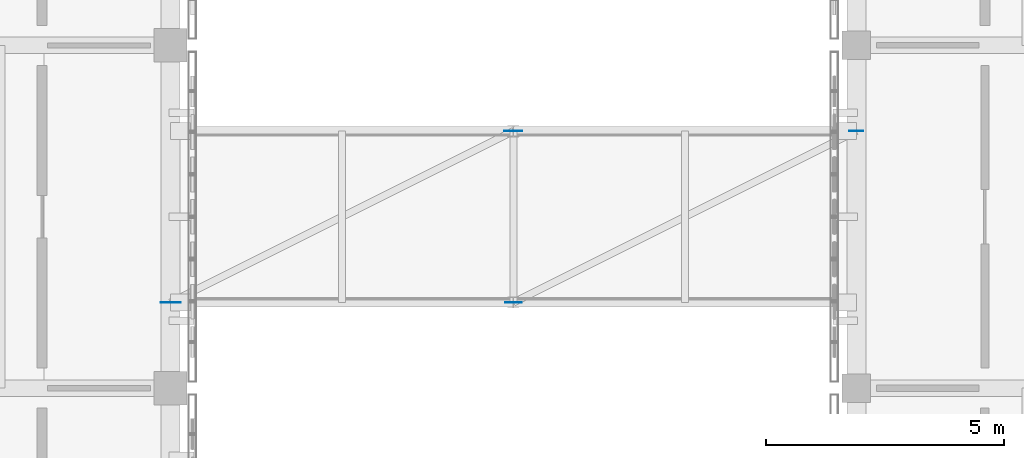
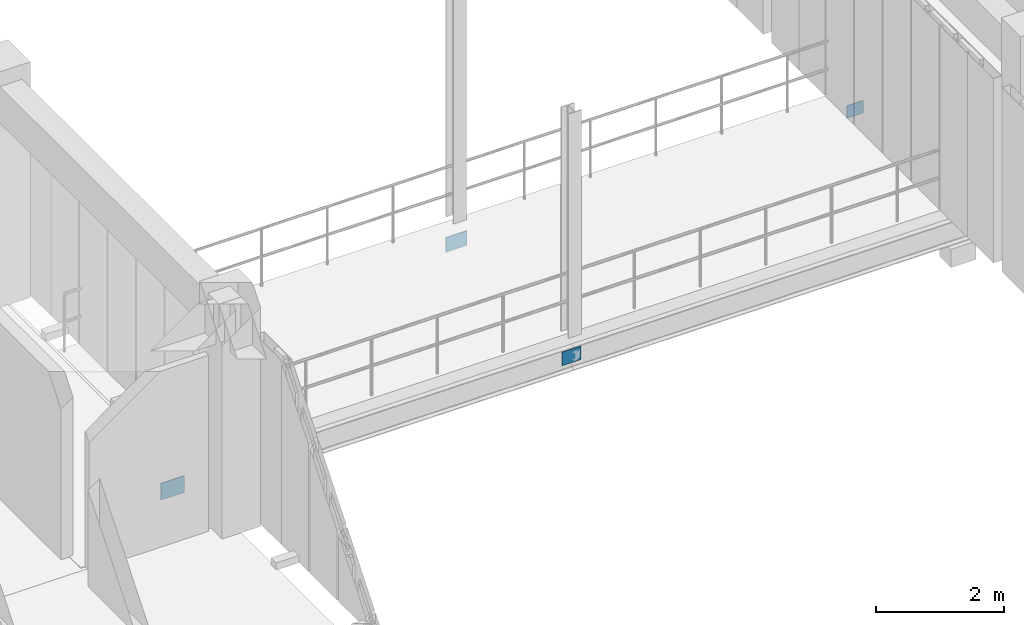
# One storey, part 113 of 171: 4 plates.
"""IFC4 building model written with IfcOpenShell, lengths in metres."""

from ifc_helpers import new_model, si_unit, direction, frame, origin, origin_2d, place, context, subcontext, project, spatial, rectangle, extrude, material, layer, layer_set, type_object, element, save


model = new_model("IFC4")

# Units and contexts
model_context = context("Model", 3, precision=1e-05, world=origin(), true_north=direction((0.0, 1.0)))
body_context = subcontext(model_context, "Body", "Model", "MODEL_VIEW")
ifc_project = project(units=[si_unit("LENGTHUNIT", "METRE"), si_unit("AREAUNIT", "SQUARE_METRE"), si_unit("VOLUMEUNIT", "CUBIC_METRE"), si_unit("PLANEANGLEUNIT", "RADIAN"), si_unit("MASSUNIT", "GRAM", prefix="KILO")], contexts=[model_context])

# Site, building, storey
site_placement = place(None, origin())
site = spatial("IfcSite", under=ifc_project, at=site_placement, CompositionType="ELEMENT")
building_placement = place(site_placement, origin())
building = spatial("IfcBuilding", under=site, at=building_placement, Name="Aldebral Square Health Centre", CompositionType="ELEMENT")
storey_placement = place(building_placement, frame((0.0, 0.0, 4.5)))
storey = spatial("IfcBuildingStorey", under=building, at=storey_placement, Name="L01", CompositionType="ELEMENT", Elevation=4.5)

# Plates
ifc_material = material(Name="Steel S355JR", Category="steel")
ifc_layer_1 = layer(ifc_material, 0.01611328125, Name="Steel S355JR", Category="steel")
ifc_layer_set_1 = layer_set([ifc_layer_1], Name="Steel S355JR")
plate_type_1 = type_object("IfcPlateType", Name="PL-GUS-1", PredefinedType="USERDEFINED", material=ifc_layer_set_1)
plate_1_placement = place(storey_placement, frame((7.199951171875, 81.0, -0.60498046875), z_axis=(0.0, 0.0, 1.0), x_axis=(1.0, 0.0, 0.0)))
element("IfcPlate", 1, at=plate_1_placement, inside=storey, type_object=plate_type_1, Name="West Light Court Bridge L01 plan brace 1 start gusset plate", ObjectType="GUSSET_PLATE", PredefinedType="USERDEFINED", context=body_context, shape_type="SweptSolid", body=[
    extrude(rectangle(XDim=0.419921875, YDim=0.01611328125, at=origin_2d()), origin(), (0.0, 0.0, 1.0), 0.320068359375),
])
ifc_layer_2 = layer(ifc_material, 0.01611328125, Name="Steel S355JR", Category="steel")
ifc_layer_set_2 = layer_set([ifc_layer_2], Name="Steel S355JR")
plate_type_2 = type_object("IfcPlateType", Name="PL-GUS-2", PredefinedType="USERDEFINED", material=ifc_layer_set_2)
plate_2_placement = place(storey_placement, frame((14.39990234375, 84.60009765625, -0.5849609375), z_axis=(0.0, 0.0, 1.0), x_axis=(1.0, 0.0, 0.0)))
element("IfcPlate", 2, at=plate_2_placement, inside=storey, type_object=plate_type_2, Name="West Light Court Bridge L01 plan brace 1 end gusset plate", ObjectType="GUSSET_PLATE", PredefinedType="USERDEFINED", context=body_context, shape_type="SweptSolid", body=[
    extrude(rectangle(XDim=0.3798828125, YDim=0.01611328125, at=origin_2d()), origin(), (0.0, 0.0, 1.0), 0.280029296875),
])
ifc_layer_3 = layer(ifc_material, 0.013916015625, Name="Steel S355JR", Category="steel")
ifc_layer_set_3 = layer_set([ifc_layer_3], Name="Steel S355JR")
plate_type_3 = type_object("IfcPlateType", Name="PL-GUS-3", PredefinedType="USERDEFINED", material=ifc_layer_set_3)
plate_3_placement = place(storey_placement, frame((14.39990234375, 81.0, -0.5751953125), z_axis=(0.0, 0.0, 1.0), x_axis=(1.0, 0.0, 0.0)))
element("IfcPlate", 3, at=plate_3_placement, inside=storey, type_object=plate_type_3, Name="West Light Court Bridge L01 plan brace 2 start gusset plate", ObjectType="GUSSET_PLATE", PredefinedType="USERDEFINED", context=body_context, shape_type="SweptSolid", body=[
    extrude(rectangle(XDim=0.340087890625, YDim=0.013916015625, at=origin_2d()), origin(), (0.0, 0.0, 1.0), 0.260009765625),
])
ifc_layer_4 = layer(ifc_material, 0.013916015625, Name="Steel S355JR", Category="steel")
ifc_layer_set_4 = layer_set([ifc_layer_4], Name="Steel S355JR")
plate_type_4 = type_object("IfcPlateType", Name="PL-GUS-4", PredefinedType="USERDEFINED", material=ifc_layer_set_4)
plate_4_placement = place(storey_placement, frame((21.60009765625, 84.60009765625, -0.56494140625), z_axis=(0.0, 0.0, 1.0), x_axis=(1.0, 0.0, 0.0)))
element("IfcPlate", 4, at=plate_4_placement, inside=storey, type_object=plate_type_4, Name="West Light Court Bridge L01 plan brace 2 end gusset plate", ObjectType="GUSSET_PLATE", PredefinedType="USERDEFINED", context=body_context, shape_type="SweptSolid", body=[
    extrude(rectangle(XDim=0.300048828125, YDim=0.013916015625, at=origin_2d()), origin(), (0.0, 0.0, 1.0), 0.239990234375),
])

save(model, "model.ifc")
